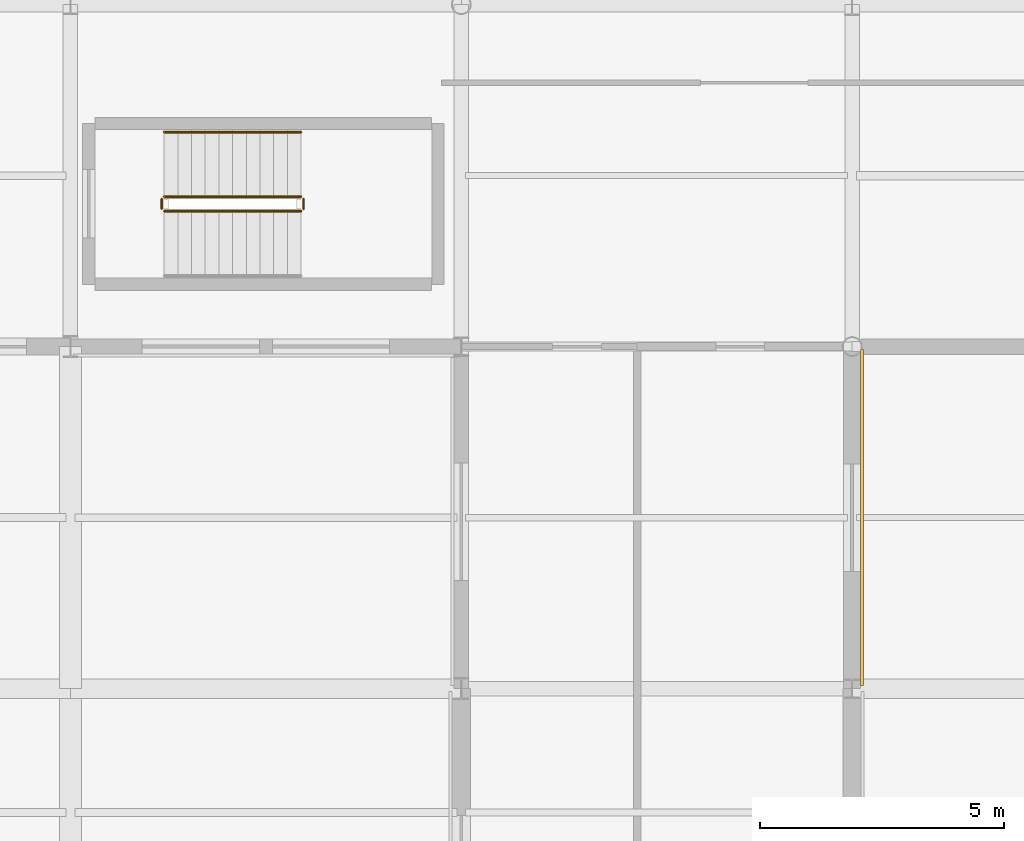
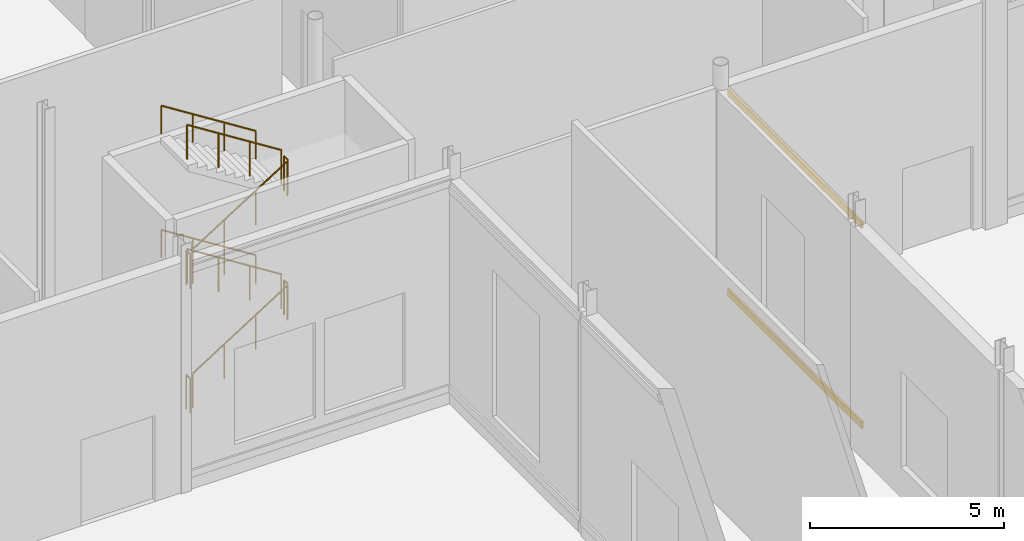
# One storey, part 156 of 176: 10 railings, 2 coverings.
"""IFC4 building model written with IfcOpenShell, lengths in metres."""

from ifc_helpers import new_model, si_unit, direction, frame, origin, origin_2d, place, context, subcontext, project, spatial, rectangle, circle, extrude, material, layer, layer_set, type_object, element, save


model = new_model("IFC4")

# Units and contexts
model_context = context("Model", 3, precision=1e-05, world=origin(), true_north=direction((0.0, 1.0)))
body_context = subcontext(model_context, "Body", "Model", "MODEL_VIEW")
ifc_project = project(units=[si_unit("LENGTHUNIT", "METRE"), si_unit("AREAUNIT", "SQUARE_METRE"), si_unit("VOLUMEUNIT", "CUBIC_METRE"), si_unit("PLANEANGLEUNIT", "RADIAN"), si_unit("MASSUNIT", "GRAM", prefix="KILO")], contexts=[model_context])

# Site, building, storey
site_placement = place(None, origin())
site = spatial("IfcSite", under=ifc_project, at=site_placement, CompositionType="ELEMENT")
building_placement = place(site_placement, origin())
building = spatial("IfcBuilding", under=site, at=building_placement, Name="Vekula Escarpment Museum", CompositionType="ELEMENT")
storey_placement = place(building_placement, origin())
storey = spatial("IfcBuildingStorey", under=building, at=storey_placement, Name="L01", CompositionType="ELEMENT", Elevation=0.0)

# Coverings
ifc_material_1 = material(Name="Polychrome limestone almasik string-course band", Category="masonry")
ifc_layer = layer(ifc_material_1, 0.06005859375)
ifc_layer_set = layer_set([ifc_layer], Name="Polychrome limestone almasik string-course band")
covering_type = type_object("IfcCoveringType", Name="COV-ALM-BAND", PredefinedType="CLADDING", material=ifc_layer_set)
for number, where, z_axis, x_axis, name in (
    (1, (48.200927734375, 49.10009765625, 0.41015625), (0.0, 0.0, 1.0), (0.0, 1.0, 0.0), "Almasik Stone String Course L01-0217"),
    (2, (48.200927734375, 49.10009765625, 6.69482421875), (0.0, 0.0, 1.0), (0.0, 1.0, 0.0), "Almasik Stone String Course L01-0218"),
):
    element("IfcCovering", number, at=place(storey_placement, frame(where, z_axis=z_axis, x_axis=x_axis)), inside=storey, type_object=covering_type, Name=name, PredefinedType="CLADDING", context=body_context, shape_type="SweptSolid", body=[
        extrude(rectangle(XDim=6.8798828125, YDim=0.06005859375, at=origin_2d()), origin(), (0.0, 0.0, 1.0), 0.219970703125),
    ])

# Railings
ifc_material_2 = material(Name="Painted Steel S355 stair guard", Category="steel")
railing_type_1 = type_object("IfcRailingType", Name="RL-STAIR-GUARD", PredefinedType="GUARDRAIL", material=ifc_material_2)
railing_1_placement = place(storey_placement, frame((33.919921875, 55.3701171875, 0.17724609375)))
element("IfcRailing", 3, at=railing_1_placement, inside=storey, type_object=railing_type_1, Name="L01 ST-04 stair guard 1", PredefinedType="GUARDRAIL", context=body_context, shape_type="SweptSolid", body=[
    extrude(circle(Radius=0.02392578125, at=origin_2d()), frame((0.0, 0.0, 1.076171875), z_axis=(0.844908973607, 0.0, 0.534910110503), x_axis=(0.0, 1.0, 0.0)), (0.0, 0.0, 1.0), 3.31396484375),
    extrude(circle(Radius=0.02099609375, at=origin_2d()), origin(), (0.0, 0.0, 1.0), 1.052001953125),
    extrude(circle(Radius=0.02099609375, at=origin_2d()), frame((0.933349609375, 0.0, 0.5908203125)), (0.0, 0.0, 1.0), 1.052001953125),
    extrude(circle(Radius=0.02099609375, at=origin_2d()), frame((1.86669921875, 0.0, 1.181884765625)), (0.0, 0.0, 1.0), 1.052001953125),
    extrude(circle(Radius=0.02099609375, at=origin_2d()), frame((2.800048828125, 0.0, 1.772705078125)), (0.0, 0.0, 1.0), 1.052001953125),
])
railing_2_placement = place(storey_placement, frame((36.77001953125, 55.419921875, 1.949951171875)))
element("IfcRailing", 4, at=railing_2_placement, inside=storey, type_object=railing_type_1, Name="L01 ST-04 stair guard 2", PredefinedType="GUARDRAIL", context=body_context, shape_type="SweptSolid", body=[
    extrude(circle(Radius=0.02392578125, at=origin_2d()), frame((0.0, 0.0, 1.076171875), z_axis=(0.0, 1.0, 0.0), x_axis=(-1.0, 0.0, 0.0)), (0.0, 0.0, 1.0), 0.2001953125),
    extrude(circle(Radius=0.02099609375, at=origin_2d()), origin(), (0.0, 0.0, 1.0), 1.052001953125),
    extrude(circle(Radius=0.02099609375, at=origin_2d()), frame((0.0, 0.2001953125, 0.0)), (0.0, 0.0, 1.0), 1.052001953125),
])
railing_3_placement = place(storey_placement, frame((36.719970703125, 55.669921875, 2.127197265625)))
element("IfcRailing", 5, at=railing_3_placement, inside=storey, type_object=railing_type_1, Name="L01 ST-04 stair guard 3", PredefinedType="GUARDRAIL", context=body_context, shape_type="SweptSolid", body=[
    extrude(circle(Radius=0.02392578125, at=origin_2d()), frame((0.0, 0.0, 1.076171875), z_axis=(-0.844908973607, 0.0, 0.534910110503), x_axis=(0.0, -1.0, 0.0)), (0.0, 0.0, 1.0), 3.31396484375),
    extrude(circle(Radius=0.02099609375, at=origin_2d()), origin(), (0.0, 0.0, 1.0), 1.052001953125),
    extrude(circle(Radius=0.02099609375, at=origin_2d()), frame((-0.933349609375, 0.0, 0.5908203125)), (0.0, 0.0, 1.0), 1.052001953125),
    extrude(circle(Radius=0.02099609375, at=origin_2d()), frame((-1.86669921875, 0.0, 1.181884765625)), (0.0, 0.0, 1.0), 1.052001953125),
    extrude(circle(Radius=0.02099609375, at=origin_2d()), frame((-2.800048828125, 0.0, 1.772705078125)), (0.0, 0.0, 1.0), 1.052001953125),
])
railing_4_placement = place(storey_placement, frame((33.8701171875, 55.419921875, 3.89990234375)))
element("IfcRailing", 6, at=railing_4_placement, inside=storey, type_object=railing_type_1, Name="L01 ST-04 stair guard 4", PredefinedType="GUARDRAIL", context=body_context, shape_type="SweptSolid", body=[
    extrude(circle(Radius=0.02392578125, at=origin_2d()), frame((0.0, 0.0, 1.076171875), z_axis=(0.0, 1.0, 0.0), x_axis=(-1.0, 0.0, 0.0)), (0.0, 0.0, 1.0), 0.2001953125),
    extrude(circle(Radius=0.02099609375, at=origin_2d()), origin(), (0.0, 0.0, 1.0), 1.052001953125),
    extrude(circle(Radius=0.02099609375, at=origin_2d()), frame((0.0, 0.2001953125, 0.0)), (0.0, 0.0, 1.0), 1.052001953125),
])
railing_5_placement = place(storey_placement, frame((33.919921875, 55.3701171875, 4.077392578125)))
element("IfcRailing", 7, at=railing_5_placement, inside=storey, type_object=railing_type_1, Name="L01 ST-04 stair guard 5", PredefinedType="GUARDRAIL", context=body_context, shape_type="SweptSolid", body=[
    extrude(circle(Radius=0.02392578125, at=origin_2d()), frame((0.0, 0.0, 1.076171875), z_axis=(0.844908973607, 0.0, 0.534910110503), x_axis=(0.0, 1.0, 0.0)), (0.0, 0.0, 1.0), 3.31396484375),
    extrude(circle(Radius=0.02099609375, at=origin_2d()), origin(), (0.0, 0.0, 1.0), 1.052001953125),
    extrude(circle(Radius=0.02099609375, at=origin_2d()), frame((0.933349609375, 0.0, 0.5908203125)), (0.0, 0.0, 1.0), 1.052001953125),
    extrude(circle(Radius=0.02099609375, at=origin_2d()), frame((1.86669921875, 0.0, 1.181884765625)), (0.0, 0.0, 1.0), 1.052001953125),
    extrude(circle(Radius=0.02099609375, at=origin_2d()), frame((2.800048828125, 0.0, 1.772705078125)), (0.0, 0.0, 1.0), 1.052001953125),
])
railing_6_placement = place(storey_placement, frame((36.77001953125, 55.419921875, 5.85009765625)))
element("IfcRailing", 8, at=railing_6_placement, inside=storey, type_object=railing_type_1, Name="L01 ST-04 stair guard 6", PredefinedType="GUARDRAIL", context=body_context, shape_type="SweptSolid", body=[
    extrude(circle(Radius=0.02392578125, at=origin_2d()), frame((0.0, 0.0, 1.076171875), z_axis=(0.0, 1.0, 0.0), x_axis=(-1.0, 0.0, 0.0)), (0.0, 0.0, 1.0), 0.2001953125),
    extrude(circle(Radius=0.02099609375, at=origin_2d()), origin(), (0.0, 0.0, 1.0), 1.052001953125),
    extrude(circle(Radius=0.02099609375, at=origin_2d()), frame((0.0, 0.2001953125, 0.0)), (0.0, 0.0, 1.0), 1.052001953125),
])
railing_7_placement = place(storey_placement, frame((36.719970703125, 55.669921875, 6.02734375)))
element("IfcRailing", 9, at=railing_7_placement, inside=storey, type_object=railing_type_1, Name="L01 ST-04 stair guard 7", PredefinedType="GUARDRAIL", context=body_context, shape_type="SweptSolid", body=[
    extrude(circle(Radius=0.02392578125, at=origin_2d()), frame((0.0, 0.0, 1.076171875), z_axis=(-0.844908973607, 0.0, 0.534910110503), x_axis=(0.0, -1.0, 0.0)), (0.0, 0.0, 1.0), 3.31396484375),
    extrude(circle(Radius=0.02099609375, at=origin_2d()), origin(), (0.0, 0.0, 1.0), 1.052001953125),
    extrude(circle(Radius=0.02099609375, at=origin_2d()), frame((-0.933349609375, 0.0, 0.5908203125)), (0.0, 0.0, 1.0), 1.052001953125),
    extrude(circle(Radius=0.02099609375, at=origin_2d()), frame((-1.86669921875, 0.0, 1.181884765625)), (0.0, 0.0, 1.0), 1.052001953125),
    extrude(circle(Radius=0.02099609375, at=origin_2d()), frame((-2.800048828125, 0.0, 1.772705078125)), (0.0, 0.0, 1.0), 1.052001953125),
])
railing_8_placement = place(storey_placement, frame((33.8701171875, 55.419921875, 0.0)))
element("IfcRailing", 10, at=railing_8_placement, inside=storey, type_object=railing_type_1, Name="L01 ST-04 stair guard 8", PredefinedType="GUARDRAIL", context=body_context, shape_type="SweptSolid", body=[
    extrude(circle(Radius=0.02392578125, at=origin_2d()), frame((0.0, 0.0, 1.076171875), z_axis=(0.0, 1.0, 0.0), x_axis=(-1.0, 0.0, 0.0)), (0.0, 0.0, 1.0), 0.2001953125),
    extrude(circle(Radius=0.02099609375, at=origin_2d()), origin(), (0.0, 0.0, 1.0), 1.052001953125),
    extrude(circle(Radius=0.02099609375, at=origin_2d()), frame((0.0, 0.2001953125, 0.0)), (0.0, 0.0, 1.0), 1.052001953125),
])
ifc_material_3 = material(Name="Brushed stainless steel handrail", Category="steel")
railing_type_2 = type_object("IfcRailingType", Name="RL-STAIR-HAND", PredefinedType="HANDRAIL", material=ifc_material_3)
for number, where, name in (
    (11, (36.719970703125, 56.989990234375, 2.127197265625), "L01 ST-04 stair handrail 2"),
    (12, (36.719970703125, 56.989990234375, 6.02734375), "L01 ST-04 stair handrail 4"),
):
    element("IfcRailing", number, at=place(storey_placement, frame(where)), inside=storey, type_object=railing_type_2, Name=name, PredefinedType="HANDRAIL", context=body_context, shape_type="SweptSolid", body=[
        extrude(circle(Radius=0.02392578125, at=origin_2d()), frame((0.0, 0.0, 0.8759765625), z_axis=(-0.844908973607, 0.0, 0.534910110503), x_axis=(0.0, -1.0, 0.0)), (0.0, 0.0, 1.0), 3.31396484375),
        extrude(circle(Radius=0.02099609375, at=origin_2d()), origin(), (0.0, 0.0, 1.0), 0.851806640625),
        extrude(circle(Radius=0.02099609375, at=origin_2d()), frame((-0.933349609375, 0.0, 0.5908203125)), (0.0, 0.0, 1.0), 0.851806640625),
        extrude(circle(Radius=0.02099609375, at=origin_2d()), frame((-1.86669921875, 0.0, 1.181884765625)), (0.0, 0.0, 1.0), 0.851806640625),
        extrude(circle(Radius=0.02099609375, at=origin_2d()), frame((-2.800048828125, 0.0, 1.772705078125)), (0.0, 0.0, 1.0), 0.851806640625),
    ])

save(model, "model.ifc")
